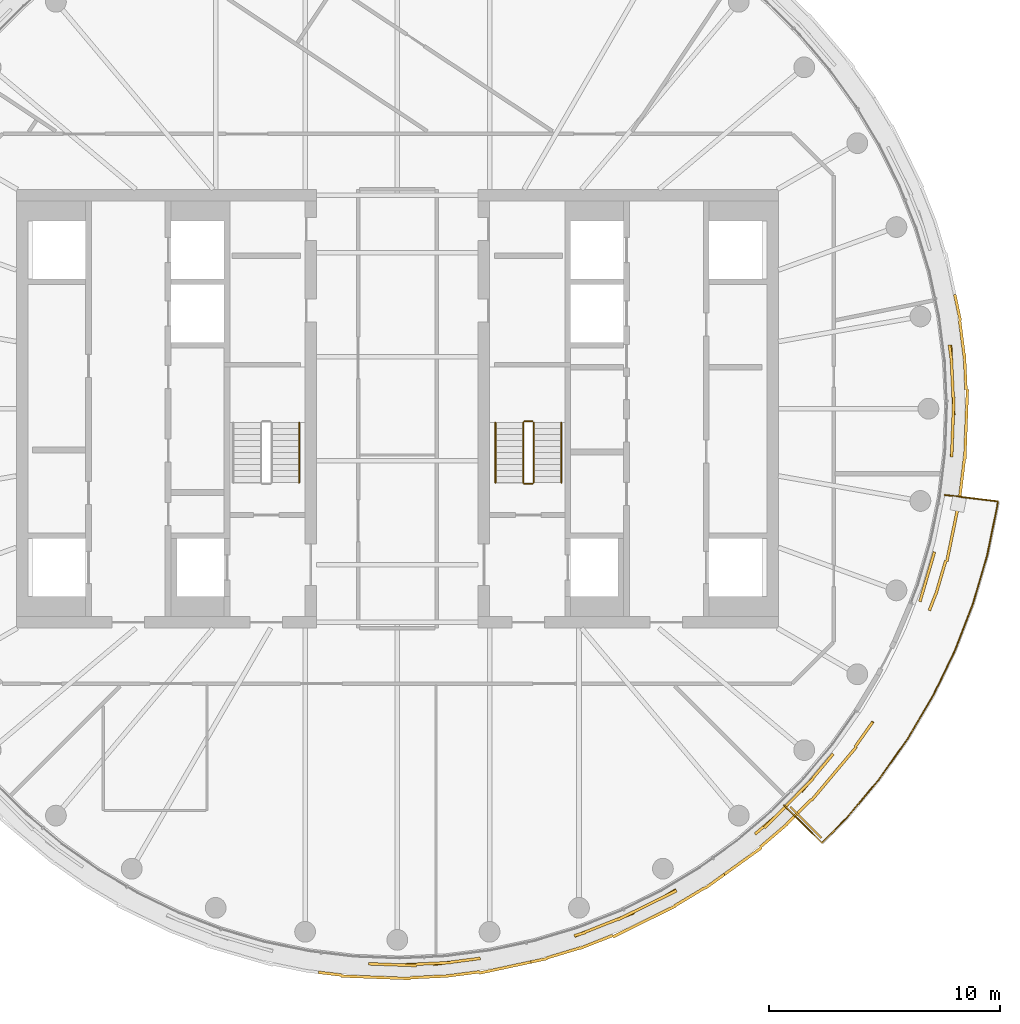
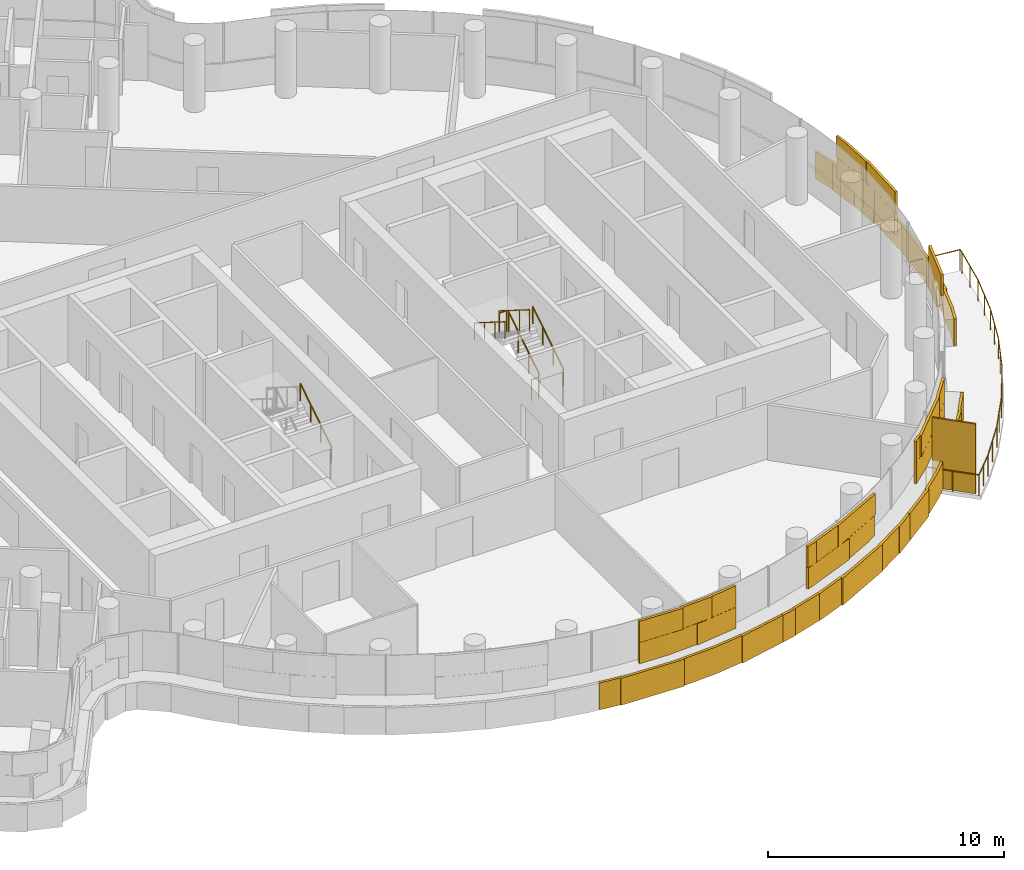
# One storey, part 24 of 27: 8 railings, 5 coverings, 1 shading device.
"""IFC4 building model written with IfcOpenShell, lengths in metres."""

from ifc_helpers import new_model, si_unit, direction, frame, origin, origin_2d, place, context, subcontext, project, spatial, rectangle, circle, extrude, material, layer, layer_set, type_object, element, save


model = new_model("IFC4")

# Units and contexts
model_context = context("Model", 3, precision=1e-05, world=origin(), true_north=direction((0.0, 1.0)))
body_context = subcontext(model_context, "Body", "Model", "MODEL_VIEW")
ifc_project = project(units=[si_unit("LENGTHUNIT", "METRE"), si_unit("AREAUNIT", "SQUARE_METRE"), si_unit("VOLUMEUNIT", "CUBIC_METRE"), si_unit("PLANEANGLEUNIT", "RADIAN"), si_unit("MASSUNIT", "GRAM", prefix="KILO")], contexts=[model_context])

# Site, building, storey
site_placement = place(None, origin())
site = spatial("IfcSite", under=ifc_project, at=site_placement, CompositionType="ELEMENT")
building_placement = place(site_placement, origin())
building = spatial("IfcBuilding", under=site, at=building_placement, Name="Tamarind Cross Interchange Tower", CompositionType="ELEMENT")
storey_placement = place(building_placement, frame((0.0, 0.0, 237.89990234375)))
storey = spatial("IfcBuildingStorey", under=building, at=storey_placement, Name="L60", CompositionType="ELEMENT", Elevation=237.89990234375)

# Railing
ifc_material_1 = material(Name="Stainless steel and laminated glass", Category="steel")
railing_type_1 = type_object("IfcRailingType", Name="Balcony guard", PredefinedType="BALUSTRADE", material=ifc_material_1)
railing_1_placement = place(storey_placement, frame((16.7412109375, -17.167236328125, 0.0)))
element("IfcRailing", 1, at=railing_1_placement, inside=storey, type_object=railing_type_1, Name="Balcony guard 02", PredefinedType="BALUSTRADE", context=body_context, shape_type="SweptSolid", body=[
    extrude(circle(Radius=0.02490234375, at=origin_2d()), frame((0.0, 0.0, 1.0751953125), z_axis=(0.710099507611, -0.704101334533, 0.0), x_axis=(0.704101334533, 0.710099507611, 0.0)), (0.0, 0.0, 1.0), 2.320068359375),
    extrude(circle(Radius=0.02490234375, at=origin_2d()), frame((1.6474609375, -1.633544921875, 1.0751953125), z_axis=(0.70407326144, 0.710127342471, 0.0), x_axis=(-0.710127342471, 0.70407326144, 0.0)), (0.0, 0.0, 1.0), 1.4921875),
    extrude(circle(Radius=0.02490234375, at=origin_2d()), frame((2.697998046875, -0.573974609375, 1.0751953125), z_axis=(0.642984125922, 0.765879503455, 0.0), x_axis=(-0.765879503455, 0.642984125922, 0.0)), (0.0, 0.0, 1.0), 2.17529296875),
    extrude(circle(Radius=0.02490234375, at=origin_2d()), frame((4.0966796875, 1.092041015625, 1.0751953125), z_axis=(0.577590617379, 0.81632657602, 0.0), x_axis=(-0.81632657602, 0.577590617379, 0.0)), (0.0, 0.0, 1.0), 2.175048828125),
    extrude(circle(Radius=0.02490234375, at=origin_2d()), frame((5.35302734375, 2.86767578125, 1.0751953125), z_axis=(0.508226290333, 0.861223570169, 0.0), x_axis=(-0.861223570169, 0.508226290333, 0.0)), (0.0, 0.0, 1.0), 2.175048828125),
    extrude(circle(Radius=0.02490234375, at=origin_2d()), frame((6.45849609375, 4.740966796875, 1.0751953125), z_axis=(0.435276325285, 0.90029690694, 0.0), x_axis=(-0.90029690694, 0.435276325285, 0.0)), (0.0, 0.0, 1.0), 2.175048828125),
    extrude(circle(Radius=0.02490234375, at=origin_2d()), frame((7.4052734375, 6.69921875, 1.0751953125), z_axis=(0.359497979449, 0.93314586361, 0.0), x_axis=(-0.93314586361, 0.359497979449, 0.0)), (0.0, 0.0, 1.0), 2.17529296875),
    extrude(circle(Radius=0.02490234375, at=origin_2d()), frame((8.187255859375, 8.72900390625, 1.0751953125), z_axis=(0.281266871208, 0.959629588519, 0.0), x_axis=(-0.959629588519, 0.281266871208, 0.0)), (0.0, 0.0, 1.0), 2.17529296875),
    extrude(circle(Radius=0.02490234375, at=origin_2d()), frame((8.799072265625, 10.81640625, 1.0751953125), z_axis=(0.200905479979, 0.97961063087, 0.0), x_axis=(-0.97961063087, 0.200905479979, 0.0)), (0.0, 0.0, 1.0), 2.17529296875),
    extrude(circle(Radius=0.02490234375, at=origin_2d()), frame((9.236083984375, 12.947265625, 1.0751953125), z_axis=(0.119603092441, 0.992821786767, 0.0), x_axis=(-0.992821786767, 0.119603092441, 0.0)), (0.0, 0.0, 1.0), 0.210205078125),
    extrude(circle(Radius=0.02490234375, at=origin_2d()), frame((9.26123046875, 13.156005859375, 1.0751953125), z_axis=(-0.992840439423, 0.119448155474, 0.0), x_axis=(-0.119448155474, -0.992840439423, 0.0)), (0.0, 0.0, 1.0), 2.31982421875),
    extrude(circle(Radius=0.02001953125, at=origin_2d()), origin(), (0.0, 0.0, 1.0), 1.050048828125),
    extrude(circle(Radius=0.02001953125, at=origin_2d()), frame((0.82373046875, -0.81689453125, 0.0)), (0.0, 0.0, 1.0), 1.050048828125),
    extrude(circle(Radius=0.02001953125, at=origin_2d()), frame((1.6474609375, -1.633544921875, 0.0)), (0.0, 0.0, 1.0), 1.050048828125),
    extrude(circle(Radius=0.02001953125, at=origin_2d()), frame((2.1728515625, -1.103759765625, 0.0)), (0.0, 0.0, 1.0), 1.050048828125),
    extrude(circle(Radius=0.02001953125, at=origin_2d()), frame((2.697998046875, -0.573974609375, 0.0)), (0.0, 0.0, 1.0), 1.050048828125),
    extrude(circle(Radius=0.02001953125, at=origin_2d()), frame((3.3974609375, 0.259033203125, 0.0)), (0.0, 0.0, 1.0), 1.050048828125),
    extrude(circle(Radius=0.02001953125, at=origin_2d()), frame((4.0966796875, 1.092041015625, 0.0)), (0.0, 0.0, 1.0), 1.050048828125),
    extrude(circle(Radius=0.02001953125, at=origin_2d()), frame((4.724853515625, 1.97998046875, 0.0)), (0.0, 0.0, 1.0), 1.050048828125),
    extrude(circle(Radius=0.02001953125, at=origin_2d()), frame((5.35302734375, 2.86767578125, 0.0)), (0.0, 0.0, 1.0), 1.050048828125),
    extrude(circle(Radius=0.02001953125, at=origin_2d()), frame((5.90576171875, 3.80419921875, 0.0)), (0.0, 0.0, 1.0), 1.050048828125),
    extrude(circle(Radius=0.02001953125, at=origin_2d()), frame((6.45849609375, 4.740966796875, 0.0)), (0.0, 0.0, 1.0), 1.050048828125),
    extrude(circle(Radius=0.02001953125, at=origin_2d()), frame((6.931884765625, 5.72021484375, 0.0)), (0.0, 0.0, 1.0), 1.050048828125),
    extrude(circle(Radius=0.02001953125, at=origin_2d()), frame((7.4052734375, 6.69921875, 0.0)), (0.0, 0.0, 1.0), 1.050048828125),
    extrude(circle(Radius=0.02001953125, at=origin_2d()), frame((7.79638671875, 7.714111328125, 0.0)), (0.0, 0.0, 1.0), 1.050048828125),
    extrude(circle(Radius=0.02001953125, at=origin_2d()), frame((8.187255859375, 8.72900390625, 0.0)), (0.0, 0.0, 1.0), 1.050048828125),
    extrude(circle(Radius=0.02001953125, at=origin_2d()), frame((8.4931640625, 9.772705078125, 0.0)), (0.0, 0.0, 1.0), 1.050048828125),
    extrude(circle(Radius=0.02001953125, at=origin_2d()), frame((8.799072265625, 10.81640625, 0.0)), (0.0, 0.0, 1.0), 1.050048828125),
    extrude(circle(Radius=0.02001953125, at=origin_2d()), frame((9.017578125, 11.8818359375, 0.0)), (0.0, 0.0, 1.0), 1.050048828125),
    extrude(circle(Radius=0.02001953125, at=origin_2d()), frame((9.236083984375, 12.947265625, 0.0)), (0.0, 0.0, 1.0), 1.050048828125),
    extrude(circle(Radius=0.02001953125, at=origin_2d()), frame((9.26123046875, 13.156005859375, 0.0)), (0.0, 0.0, 1.0), 1.050048828125),
    extrude(circle(Radius=0.02001953125, at=origin_2d()), frame((8.109619140625, 13.29443359375, 0.0)), (0.0, 0.0, 1.0), 1.050048828125),
    extrude(circle(Radius=0.02001953125, at=origin_2d()), frame((6.9580078125, 13.43310546875, 0.0)), (0.0, 0.0, 1.0), 1.050048828125),
])

# Shading device
ifc_material_2 = material(Name="Bronze-finish aluminium louvre", Category="aluminium")
ifc_layer_1 = layer(ifc_material_2, 0.080078125)
ifc_layer_set_1 = layer_set([ifc_layer_1], Name="Bronze-finish aluminium louvre")
shading_device_type = type_object("IfcShadingDeviceType", Name="Operable louvre bay", PredefinedType="JALOUSIE", material=ifc_layer_set_1)
shading_device_placement = place(storey_placement, origin())
element("IfcShadingDevice", 2, at=shading_device_placement, inside=storey, type_object=shading_device_type, Name="LVR-L60-BAL02", PredefinedType="JALOUSIE", context=body_context, shape_type="SweptSolid", body=[
    extrude(rectangle(XDim=1.89990234375, YDim=0.080078125, at=origin_2d()), frame((17.69189453125, -17.912841796875, 0.0), z_axis=(0.0, 0.0, 1.0), x_axis=(0.710143317658, -0.704057148523, 0.0)), (0.0, 0.0, 1.0), 3.60009765625),
])

# Railings
ifc_material_3 = material(Name="Stair guard")
railing_type_2 = type_object("IfcRailingType", Name="Stair guard", PredefinedType="GUARDRAIL", material=ifc_material_3)
railing_2_placement = place(storey_placement, frame((5.89990234375, -3.199951171875, 0.163818359375)))
element("IfcRailing", 3, at=railing_2_placement, inside=storey, type_object=railing_type_2, Name="L60 ST2 stair guard 1", PredefinedType="GUARDRAIL", context=body_context, shape_type="SweptSolid", body=[
    extrude(circle(Radius=0.02392578125, at=origin_2d()), frame((0.0, 0.0, 1.076171875), z_axis=(0.0, 0.846337672412, 0.532646734952), x_axis=(-1.0, 0.0, 0.0)), (0.0, 0.0, 1.0), 3.07177734375),
    extrude(circle(Radius=0.02099609375, at=origin_2d()), origin(), (0.0, 0.0, 1.0), 1.052001953125),
    extrude(circle(Radius=0.02099609375, at=origin_2d()), frame((0.0, 0.86669921875, 0.54541015625)), (0.0, 0.0, 1.0), 1.052001953125),
    extrude(circle(Radius=0.02099609375, at=origin_2d()), frame((0.0, 1.733154296875, 1.0908203125)), (0.0, 0.0, 1.0), 1.052001953125),
    extrude(circle(Radius=0.02099609375, at=origin_2d()), frame((0.0, 2.599853515625, 1.63623046875)), (0.0, 0.0, 1.0), 1.052001953125),
])
railing_3_placement = place(storey_placement, frame((5.85009765625, -0.550048828125, 1.800048828125)))
element("IfcRailing", 4, at=railing_3_placement, inside=storey, type_object=railing_type_2, Name="L60 ST2 stair guard 2", PredefinedType="GUARDRAIL", context=body_context, shape_type="SweptSolid", body=[
    extrude(circle(Radius=0.02392578125, at=origin_2d()), frame((0.0, 0.0, 1.076171875), z_axis=(-1.0, 0.0, 0.0), x_axis=(0.0, -1.0, 0.0)), (0.0, 0.0, 1.0), 0.35009765625),
    extrude(circle(Radius=0.02099609375, at=origin_2d()), origin(), (0.0, 0.0, 1.0), 1.052001953125),
    extrude(circle(Radius=0.02099609375, at=origin_2d()), frame((-0.35009765625, 0.0, 0.0)), (0.0, 0.0, 1.0), 1.052001953125),
])
railing_4_placement = place(storey_placement, frame((5.449951171875, -0.60009765625, 1.963623046875)))
element("IfcRailing", 5, at=railing_4_placement, inside=storey, type_object=railing_type_2, Name="L60 ST2 stair guard 3", PredefinedType="GUARDRAIL", context=body_context, shape_type="SweptSolid", body=[
    extrude(circle(Radius=0.02392578125, at=origin_2d()), frame((0.0, 0.0, 1.076171875), z_axis=(0.0, -0.846301844409, 0.532703658848), x_axis=(1.0, 0.0, 0.0)), (0.0, 0.0, 1.0), 3.072021484375),
    extrude(circle(Radius=0.02099609375, at=origin_2d()), origin(), (0.0, 0.0, 1.0), 1.052001953125),
    extrude(circle(Radius=0.02099609375, at=origin_2d()), frame((0.0, -0.86669921875, 0.54541015625)), (0.0, 0.0, 1.0), 1.052001953125),
    extrude(circle(Radius=0.02099609375, at=origin_2d()), frame((0.0, -1.733154296875, 1.091064453125)), (0.0, 0.0, 1.0), 1.052001953125),
    extrude(circle(Radius=0.02099609375, at=origin_2d()), frame((0.0, -2.599853515625, 1.636474609375)), (0.0, 0.0, 1.0), 1.052001953125),
])
railing_5_placement = place(storey_placement, frame((5.85009765625, -3.25, 0.0)))
element("IfcRailing", 6, at=railing_5_placement, inside=storey, type_object=railing_type_2, Name="L60 ST2 stair guard 4", PredefinedType="GUARDRAIL", context=body_context, shape_type="SweptSolid", body=[
    extrude(circle(Radius=0.02392578125, at=origin_2d()), frame((0.0, 0.0, 1.076171875), z_axis=(-1.0, 0.0, 0.0), x_axis=(0.0, -1.0, 0.0)), (0.0, 0.0, 1.0), 0.35009765625),
    extrude(circle(Radius=0.02099609375, at=origin_2d()), origin(), (0.0, 0.0, 1.0), 1.052001953125),
    extrude(circle(Radius=0.02099609375, at=origin_2d()), frame((-0.35009765625, 0.0, 0.0)), (0.0, 0.0, 1.0), 1.052001953125),
])
ifc_material_4 = material(Name="Stair handrail")
railing_type_3 = type_object("IfcRailingType", Name="Stair handrail", PredefinedType="HANDRAIL", material=ifc_material_4)
for number, where, name in (
    (7, (-4.25, -3.199951171875, 0.163818359375), "L60 ST1 stair handrail 1"),
    (8, (7.10009765625, -3.199951171875, 0.163818359375), "L60 ST2 stair handrail 1"),
):
    element("IfcRailing", number, at=place(storey_placement, frame(where)), inside=storey, type_object=railing_type_3, Name=name, PredefinedType="HANDRAIL", context=body_context, shape_type="SweptSolid", body=[
        extrude(circle(Radius=0.02392578125, at=origin_2d()), frame((0.0, 0.0, 0.8759765625), z_axis=(0.0, 0.846337672412, 0.532646734952), x_axis=(-1.0, 0.0, 0.0)), (0.0, 0.0, 1.0), 3.07177734375),
        extrude(circle(Radius=0.02099609375, at=origin_2d()), origin(), (0.0, 0.0, 1.0), 0.851806640625),
        extrude(circle(Radius=0.02099609375, at=origin_2d()), frame((0.0, 0.86669921875, 0.54541015625)), (0.0, 0.0, 1.0), 0.851806640625),
        extrude(circle(Radius=0.02099609375, at=origin_2d()), frame((0.0, 1.733154296875, 1.0908203125)), (0.0, 0.0, 1.0), 0.851806640625),
        extrude(circle(Radius=0.02099609375, at=origin_2d()), frame((0.0, 2.599853515625, 1.63623046875)), (0.0, 0.0, 1.0), 0.851806640625),
    ])
railing_6_placement = place(storey_placement, frame((4.25, -0.60009765625, 1.963623046875)))
element("IfcRailing", 9, at=railing_6_placement, inside=storey, type_object=railing_type_3, Name="L60 ST2 stair handrail 2", PredefinedType="HANDRAIL", context=body_context, shape_type="SweptSolid", body=[
    extrude(circle(Radius=0.02392578125, at=origin_2d()), frame((0.0, 0.0, 0.8759765625), z_axis=(0.0, -0.846301844409, 0.532703658848), x_axis=(1.0, 0.0, 0.0)), (0.0, 0.0, 1.0), 3.072021484375),
    extrude(circle(Radius=0.02099609375, at=origin_2d()), origin(), (0.0, 0.0, 1.0), 0.851806640625),
    extrude(circle(Radius=0.02099609375, at=origin_2d()), frame((0.0, -0.86669921875, 0.54541015625)), (0.0, 0.0, 1.0), 0.851806640625),
    extrude(circle(Radius=0.02099609375, at=origin_2d()), frame((0.0, -1.733154296875, 1.091064453125)), (0.0, 0.0, 1.0), 0.851806640625),
    extrude(circle(Radius=0.02099609375, at=origin_2d()), frame((0.0, -2.599853515625, 1.636474609375)), (0.0, 0.0, 1.0), 0.851806640625),
])

# Coverings
ifc_material_5 = material(Name="Terracotta", Category="masonry")
ifc_layer_2 = layer(ifc_material_5, 0.1201171875)
ifc_layer_set_2 = layer_set([ifc_layer_2], Name="Terracotta")
covering_type = type_object("IfcCoveringType", Name="Terracotta baguette screen unit", PredefinedType="MOLDING", material=ifc_layer_set_2)
covering_1_placement = place(storey_placement, origin())
element("IfcCovering", 10, at=covering_1_placement, inside=storey, type_object=covering_type, Name="SCR-L60-02-02", PredefinedType="MOLDING", context=body_context, shape_type="SweptSolid", body=[
    extrude(rectangle(XDim=1.32177734375, YDim=0.1201171875, at=origin_2d()), frame((-0.585693359375, -24.060302734375, 1.404296875), z_axis=(0.0, 0.0, 1.0), x_axis=(0.999314350871, -0.037024696392, 0.0)), (0.0, 0.0, 1.0), 1.092041015625),
    extrude(rectangle(XDim=1.52001953125, YDim=0.1201171875, at=origin_2d()), frame((0.81884765625, -24.05322265625, 1.404296875), z_axis=(0.0, 0.0, 1.0), x_axis=(0.998958660912, 0.045624486728, 0.0)), (0.0, 0.0, 1.0), 1.092041015625),
    extrude(rectangle(XDim=1.52001953125, YDim=0.1201171875, at=origin_2d()), frame((2.315673828125, -23.966064453125, 1.404296875), z_axis=(0.0, 0.0, 1.0), x_axis=(0.991779070368, 0.127962008342, 0.0)), (0.0, 0.0, 1.0), 1.092041015625),
    extrude(rectangle(XDim=0.54150390625, YDim=0.1201171875, at=origin_2d()), frame((3.3232421875, -23.836181640625, 1.404296875), z_axis=(0.0, 0.0, 1.0), x_axis=(0.991779070368, 0.127962008342, 0.0)), (0.0, 0.0, 1.0), 1.092041015625),
    extrude(rectangle(XDim=0.57177734375, YDim=0.1201171875, at=origin_2d()), frame((-0.96044921875, -24.04638671875, 2.50390625), z_axis=(0.0, 0.0, 1.0), x_axis=(0.999314350871, -0.037024696392, 0.0)), (0.0, 0.0, 1.0), 1.092041015625),
    extrude(rectangle(XDim=1.52001953125, YDim=0.1201171875, at=origin_2d()), frame((0.069580078125, -24.08447265625, 2.50390625), z_axis=(0.0, 0.0, 1.0), x_axis=(0.999314350871, -0.037024696392, 0.0)), (0.0, 0.0, 1.0), 1.092041015625),
    extrude(rectangle(XDim=1.52001953125, YDim=0.1201171875, at=origin_2d()), frame((1.568115234375, -24.018798828125, 2.50390625), z_axis=(0.0, 0.0, 1.0), x_axis=(0.998958660912, 0.045624486728, 0.0)), (0.0, 0.0, 1.0), 1.092041015625),
    extrude(rectangle(XDim=1.29150390625, YDim=0.1201171875, at=origin_2d()), frame((2.951171875, -23.884033203125, 2.50390625), z_axis=(0.0, 0.0, 1.0), x_axis=(0.991779070368, 0.127962008342, 0.0)), (0.0, 0.0, 1.0), 1.092041015625),
    extrude(rectangle(XDim=0.992431640625, YDim=0.1201171875, at=origin_2d()), frame((-2.917236328125, -24.466064453125, 0.004150390625), z_axis=(0.0, 0.0, 1.0), x_axis=(0.992843710523, -0.119420963295, 0.0)), (0.0, 0.0, 1.0), 1.39208984375),
    extrude(rectangle(XDim=1.52001953125, YDim=0.1201171875, at=origin_2d()), frame((-1.688232421875, -24.59375, 0.004150390625), z_axis=(0.0, 0.0, 1.0), x_axis=(0.999314350871, -0.037024696392, 0.0)), (0.0, 0.0, 1.0), 1.39208984375),
    extrude(rectangle(XDim=1.52001953125, YDim=0.1201171875, at=origin_2d()), frame((-0.189453125, -24.6494140625, 0.004150390625), z_axis=(0.0, 0.0, 1.0), x_axis=(0.999314350871, -0.037024696392, 0.0)), (0.0, 0.0, 1.0), 1.39208984375),
    extrude(rectangle(XDim=1.52001953125, YDim=0.1201171875, at=origin_2d()), frame((1.30908203125, -24.605224609375, 0.004150390625), z_axis=(0.0, 0.0, 1.0), x_axis=(0.998958660912, 0.045624486728, 0.0)), (0.0, 0.0, 1.0), 1.39208984375),
    extrude(rectangle(XDim=1.52001953125, YDim=0.1201171875, at=origin_2d()), frame((2.802734375, -24.482177734375, 0.004150390625), z_axis=(0.0, 0.0, 1.0), x_axis=(0.991779070368, 0.127962008342, 0.0)), (0.0, 0.0, 1.0), 1.39208984375),
    extrude(rectangle(XDim=1.52001953125, YDim=0.1201171875, at=origin_2d()), frame((4.288818359375, -24.27978515625, 0.004150390625), z_axis=(0.0, 0.0, 1.0), x_axis=(0.977824623121, 0.209425419705, 0.0)), (0.0, 0.0, 1.0), 1.39208984375),
    extrude(rectangle(XDim=0.786865234375, YDim=0.1201171875, at=origin_2d()), frame((5.39697265625, -24.042236328125, 0.004150390625), z_axis=(0.0, 0.0, 1.0), x_axis=(0.977824623121, 0.209425419705, 0.0)), (0.0, 0.0, 1.0), 1.39208984375),
])
covering_2_placement = place(storey_placement, origin())
element("IfcCovering", 11, at=covering_2_placement, inside=storey, type_object=covering_type, Name="SCR-L60-02-03", PredefinedType="MOLDING", context=body_context, shape_type="SweptSolid", body=[
    extrude(rectangle(XDim=1.2783203125, YDim=0.1201171875, at=origin_2d()), frame((8.26171875, -22.611572265625, 1.404296875), z_axis=(0.0, 0.0, 1.0), x_axis=(0.930018078613, 0.367513773146, 0.0)), (0.0, 0.0, 1.0), 1.092041015625),
    extrude(rectangle(XDim=1.52001953125, YDim=0.1201171875, at=origin_2d()), frame((9.549072265625, -22.102783203125, 1.404296875), z_axis=(0.0, 0.0, 1.0), x_axis=(0.930018078613, 0.367513773146, 0.0)), (0.0, 0.0, 1.0), 1.092041015625),
    extrude(rectangle(XDim=1.52001953125, YDim=0.1201171875, at=origin_2d()), frame((10.90185546875, -21.4560546875, 1.404296875), z_axis=(0.0, 0.0, 1.0), x_axis=(0.896492548518, 0.443058811505, 0.0)), (0.0, 0.0, 1.0), 1.092041015625),
    extrude(rectangle(XDim=0.584228515625, YDim=0.1201171875, at=origin_2d()), frame((11.8193359375, -20.974365234375, 1.404296875), z_axis=(0.0, 0.0, 1.0), x_axis=(0.856843065292, 0.515577308909, 0.0)), (0.0, 0.0, 1.0), 1.092041015625),
    extrude(rectangle(XDim=0.5283203125, YDim=0.1201171875, at=origin_2d()), frame((7.912841796875, -22.748779296875, 2.50390625), z_axis=(0.0, 0.0, 1.0), x_axis=(0.957190642199, 0.289458243079, 0.0)), (0.0, 0.0, 1.0), 1.092041015625),
    extrude(rectangle(XDim=1.52001953125, YDim=0.1201171875, at=origin_2d()), frame((8.8515625, -22.37841796875, 2.50390625), z_axis=(0.0, 0.0, 1.0), x_axis=(0.930018078613, 0.367513773146, 0.0)), (0.0, 0.0, 1.0), 1.092041015625),
    extrude(rectangle(XDim=1.52001953125, YDim=0.1201171875, at=origin_2d()), frame((10.2294921875, -21.788330078125, 2.50390625), z_axis=(0.0, 0.0, 1.0), x_axis=(0.896492548518, 0.443058811505, 0.0)), (0.0, 0.0, 1.0), 1.092041015625),
    extrude(rectangle(XDim=1.334228515625, YDim=0.1201171875, at=origin_2d()), frame((11.495361328125, -21.162841796875, 2.50390625), z_axis=(0.0, 0.0, 1.0), x_axis=(0.896492548518, 0.443058811505, 0.0)), (0.0, 0.0, 1.0), 1.092041015625),
    extrude(rectangle(XDim=0.733154296875, YDim=0.1201171875, at=origin_2d()), frame((6.14013671875, -23.883056640625, 0.004150390625), z_axis=(0.0, 0.0, 1.0), x_axis=(0.977824623121, 0.209425419705, 0.0)), (0.0, 0.0, 1.0), 1.39208984375),
    extrude(rectangle(XDim=1.52001953125, YDim=0.1201171875, at=origin_2d()), frame((7.19970703125, -23.564208984375, 0.004150390625), z_axis=(0.0, 0.0, 1.0), x_axis=(0.957190642199, 0.289458243079, 0.0)), (0.0, 0.0, 1.0), 1.39208984375),
    extrude(rectangle(XDim=1.52001953125, YDim=0.1201171875, at=origin_2d()), frame((8.62060546875, -23.0869140625, 0.004150390625), z_axis=(0.0, 0.0, 1.0), x_axis=(0.930018078613, 0.367513773146, 0.0)), (0.0, 0.0, 1.0), 1.39208984375),
    extrude(rectangle(XDim=1.52001953125, YDim=0.1201171875, at=origin_2d()), frame((10.01513671875, -22.53466796875, 0.004150390625), z_axis=(0.0, 0.0, 1.0), x_axis=(0.896492548518, 0.443058811505, 0.0)), (0.0, 0.0, 1.0), 1.39208984375),
    extrude(rectangle(XDim=1.52001953125, YDim=0.1201171875, at=origin_2d()), frame((11.35986328125, -21.8701171875, 0.004150390625), z_axis=(0.0, 0.0, 1.0), x_axis=(0.896492548518, 0.443058811505, 0.0)), (0.0, 0.0, 1.0), 1.39208984375),
    extrude(rectangle(XDim=1.52001953125, YDim=0.1201171875, at=origin_2d()), frame((12.665771484375, -21.134765625, 0.004150390625), z_axis=(0.0, 0.0, 1.0), x_axis=(0.856843065292, 0.515577308909, 0.0)), (0.0, 0.0, 1.0), 1.39208984375),
    extrude(rectangle(XDim=1.045166015625, YDim=0.1201171875, at=origin_2d()), frame((13.738525390625, -20.469970703125, 0.004150390625), z_axis=(0.0, 0.0, 1.0), x_axis=(0.811340475102, 0.584573890505, 0.0)), (0.0, 0.0, 1.0), 1.39208984375),
])
covering_3_placement = place(storey_placement, origin())
element("IfcCovering", 12, at=covering_3_placement, inside=storey, type_object=covering_type, Name="SCR-L60-02-04", PredefinedType="MOLDING", context=body_context, shape_type="SweptSolid", body=[
    extrude(rectangle(XDim=1.23583984375, YDim=0.1201171875, at=origin_2d()), frame((15.9609375, -18.01611328125, 1.404296875), z_axis=(0.0, 0.0, 1.0), x_axis=(0.760295606781, 0.64957723968, 0.0)), (0.0, 0.0, 1.0), 1.092041015625),
    extrude(rectangle(XDim=1.52001953125, YDim=0.1201171875, at=origin_2d()), frame((16.9521484375, -17.08251953125, 1.404296875), z_axis=(0.0, 0.0, 1.0), x_axis=(0.704057148523, 0.710143317658, 0.0)), (0.0, 0.0, 1.0), 1.092041015625),
    extrude(rectangle(XDim=1.52001953125, YDim=0.1201171875, at=origin_2d()), frame((17.9892578125, -16.0, 1.404296875), z_axis=(0.0, 0.0, 1.0), x_axis=(0.643009266048, 0.765858396687, 0.0)), (0.0, 0.0, 1.0), 1.092041015625),
    extrude(rectangle(XDim=0.62744140625, YDim=0.1201171875, at=origin_2d()), frame((18.670166015625, -15.189208984375, 1.404296875), z_axis=(0.0, 0.0, 1.0), x_axis=(0.643009266048, 0.765858396687, 0.0)), (0.0, 0.0, 1.0), 1.092041015625),
    extrude(rectangle(XDim=0.48583984375, YDim=0.1201171875, at=origin_2d()), frame((15.67578125, -18.259765625, 2.50390625), z_axis=(0.0, 0.0, 1.0), x_axis=(0.760295606781, 0.64957723968, 0.0)), (0.0, 0.0, 1.0), 1.092041015625),
    extrude(rectangle(XDim=1.52001953125, YDim=0.1201171875, at=origin_2d()), frame((16.424072265625, -17.614990234375, 2.50390625), z_axis=(0.0, 0.0, 1.0), x_axis=(0.704057148523, 0.710143317658, 0.0)), (0.0, 0.0, 1.0), 1.092041015625),
    extrude(rectangle(XDim=1.52001953125, YDim=0.1201171875, at=origin_2d()), frame((17.480224609375, -16.5498046875, 2.50390625), z_axis=(0.0, 0.0, 1.0), x_axis=(0.704057148523, 0.710143317658, 0.0)), (0.0, 0.0, 1.0), 1.092041015625),
    extrude(rectangle(XDim=1.37744140625, YDim=0.1201171875, at=origin_2d()), frame((18.428955078125, -15.476318359375, 2.50390625), z_axis=(0.0, 0.0, 1.0), x_axis=(0.643009266048, 0.765858396687, 0.0)), (0.0, 0.0, 1.0), 1.092041015625),
    extrude(rectangle(XDim=0.474853515625, YDim=0.1201171875, at=origin_2d()), frame((14.355224609375, -20.02587890625, 0.004150390625), z_axis=(0.0, 0.0, 1.0), x_axis=(0.811340475102, 0.584573890505, 0.0)), (0.0, 0.0, 1.0), 1.39208984375),
    extrude(rectangle(XDim=1.52001953125, YDim=0.1201171875, at=origin_2d()), frame((15.148193359375, -19.454345703125, 0.004150390625), z_axis=(0.0, 0.0, 1.0), x_axis=(0.811340475102, 0.584573890505, 0.0)), (0.0, 0.0, 1.0), 1.39208984375),
    extrude(rectangle(XDim=1.52001953125, YDim=0.1201171875, at=origin_2d()), frame((16.2939453125, -18.486572265625, 0.004150390625), z_axis=(0.0, 0.0, 1.0), x_axis=(0.760295606781, 0.64957723968, 0.0)), (0.0, 0.0, 1.0), 1.39208984375),
    extrude(rectangle(XDim=1.52001953125, YDim=0.1201171875, at=origin_2d()), frame((17.385986328125, -17.460205078125, 0.004150390625), z_axis=(0.0, 0.0, 1.0), x_axis=(0.704057148523, 0.710143317658, 0.0)), (0.0, 0.0, 1.0), 1.39208984375),
    extrude(rectangle(XDim=1.52001953125, YDim=0.1201171875, at=origin_2d()), frame((18.42236328125, -16.376953125, 0.004150390625), z_axis=(0.0, 0.0, 1.0), x_axis=(0.643009266048, 0.765858396687, 0.0)), (0.0, 0.0, 1.0), 1.39208984375),
    extrude(rectangle(XDim=1.52001953125, YDim=0.1201171875, at=origin_2d()), frame((19.386962890625, -15.228271484375, 0.004150390625), z_axis=(0.0, 0.0, 1.0), x_axis=(0.643009266048, 0.765858396687, 0.0)), (0.0, 0.0, 1.0), 1.39208984375),
    extrude(rectangle(XDim=1.30419921875, YDim=0.1201171875, at=origin_2d()), frame((20.205078125, -14.102783203125, 0.004150390625), z_axis=(0.0, 0.0, 1.0), x_axis=(0.577568978284, 0.816341886298, 0.0)), (0.0, 0.0, 1.0), 1.39208984375),
])
covering_4_placement = place(storey_placement, origin())
element("IfcCovering", 13, at=covering_4_placement, inside=storey, type_object=covering_type, Name="SCR-L60-02-05", PredefinedType="MOLDING", context=body_context, shape_type="SweptSolid", body=[
    extrude(rectangle(XDim=1.48486328125, YDim=0.1201171875, at=origin_2d()), frame((23.051513671875, -6.913818359375, 1.404296875), z_axis=(0.0, 0.0, 1.0), x_axis=(0.281208920763, 0.95964657186, 0.0)), (0.0, 0.0, 1.0), 1.092041015625),
    extrude(rectangle(XDim=1.52001953125, YDim=0.1201171875, at=origin_2d()), frame((22.843994140625, -7.62158203125, 2.50390625), z_axis=(0.0, 0.0, 1.0), x_axis=(0.281208920763, 0.95964657186, 0.0)), (0.0, 0.0, 1.0), 1.092041015625),
    extrude(rectangle(XDim=0.73486328125, YDim=0.1201171875, at=origin_2d()), frame((23.156982421875, -6.553955078125, 2.50390625), z_axis=(0.0, 0.0, 1.0), x_axis=(0.281208920763, 0.95964657186, 0.0)), (0.0, 0.0, 1.0), 1.092041015625),
    extrude(rectangle(XDim=0.03076171875, YDim=0.1201171875, at=origin_2d()), frame((20.590576171875, -13.557861328125, 0.004150390625), z_axis=(0.0, 0.0, 1.0), x_axis=(0.577568978284, 0.816341886298, 0.0)), (0.0, 0.0, 1.0), 1.39208984375),
    extrude(rectangle(XDim=0.78369140625, YDim=0.1201171875, at=origin_2d()), frame((23.1787109375, -8.373779296875, 0.004150390625), z_axis=(0.0, 0.0, 1.0), x_axis=(0.359495435512, 0.933146843667, 0.0)), (0.0, 0.0, 1.0), 1.39208984375),
    extrude(rectangle(XDim=1.52001953125, YDim=0.1201171875, at=origin_2d()), frame((23.5361328125, -7.30078125, 0.004150390625), z_axis=(0.0, 0.0, 1.0), x_axis=(0.281208920763, 0.95964657186, 0.0)), (0.0, 0.0, 1.0), 1.39208984375),
    extrude(rectangle(XDim=1.52001953125, YDim=0.1201171875, at=origin_2d()), frame((23.950439453125, -5.859619140625, 0.004150390625), z_axis=(0.0, 0.0, 1.0), x_axis=(0.201001463943, 0.9795909409, 0.0)), (0.0, 0.0, 1.0), 1.39208984375),
    extrude(rectangle(XDim=0.896484375, YDim=0.1201171875, at=origin_2d()), frame((24.189453125, -4.695556640625, 0.004150390625), z_axis=(0.0, 0.0, 1.0), x_axis=(0.201001463943, 0.9795909409, 0.0)), (0.0, 0.0, 1.0), 1.39208984375),
])
covering_5_placement = place(storey_placement, origin())
element("IfcCovering", 14, at=covering_5_placement, inside=storey, type_object=covering_type, Name="SCR-L60-02-06", PredefinedType="MOLDING", context=body_context, shape_type="SweptSolid", body=[
    extrude(rectangle(XDim=0.335205078125, YDim=0.1201171875, at=origin_2d()), frame((24.008544921875, -1.914794921875, 1.404296875), z_axis=(0.0, 0.0, 1.0), x_axis=(0.119420963295, 0.992843710523, 0.0)), (0.0, 0.0, 1.0), 1.092041015625),
    extrude(rectangle(XDim=1.52001953125, YDim=0.1201171875, at=origin_2d()), frame((24.044921875, -1.0029296875, 1.404296875), z_axis=(0.0, 0.0, 1.0), x_axis=(0.037024696392, 0.999314350871, 0.0)), (0.0, 0.0, 1.0), 1.092041015625),
    extrude(rectangle(XDim=1.52001953125, YDim=0.1201171875, at=origin_2d()), frame((24.06787109375, 0.495849609375, 1.404296875), z_axis=(0.0, 0.0, 1.0), x_axis=(-0.045624486728, 0.998958660912, 0.0)), (0.0, 0.0, 1.0), 1.092041015625),
    extrude(rectangle(XDim=1.52001953125, YDim=0.1201171875, at=origin_2d()), frame((23.99951171875, 1.994140625, 1.404296875), z_axis=(0.0, 0.0, 1.0), x_axis=(-0.045624486728, 0.998958660912, 0.0)), (0.0, 0.0, 1.0), 1.092041015625),
    extrude(rectangle(XDim=1.085205078125, YDim=0.1201171875, at=origin_2d()), frame((24.02490234375, -1.540283203125, 2.50390625), z_axis=(0.0, 0.0, 1.0), x_axis=(0.037024696392, 0.999314350871, 0.0)), (0.0, 0.0, 1.0), 1.092041015625),
    extrude(rectangle(XDim=1.52001953125, YDim=0.1201171875, at=origin_2d()), frame((24.072509765625, -0.253662109375, 2.50390625), z_axis=(0.0, 0.0, 1.0), x_axis=(0.037024696392, 0.999314350871, 0.0)), (0.0, 0.0, 1.0), 1.092041015625),
    extrude(rectangle(XDim=1.52001953125, YDim=0.1201171875, at=origin_2d()), frame((24.03369140625, 1.2451171875, 2.50390625), z_axis=(0.0, 0.0, 1.0), x_axis=(-0.045624486728, 0.998958660912, 0.0)), (0.0, 0.0, 1.0), 1.092041015625),
    extrude(rectangle(XDim=0.777587890625, YDim=0.1201171875, at=origin_2d()), frame((23.95849609375, 2.37548828125, 2.50390625), z_axis=(0.0, 0.0, 1.0), x_axis=(-0.127962008342, 0.991779070368, 0.0)), (0.0, 0.0, 1.0), 1.092041015625),
    extrude(rectangle(XDim=0.623291015625, YDim=0.1201171875, at=origin_2d()), frame((24.341796875, -3.950927734375, 0.004150390625), z_axis=(0.0, 0.0, 1.0), x_axis=(0.119420963295, 0.992843710523, 0.0)), (0.0, 0.0, 1.0), 1.39208984375),
    extrude(rectangle(XDim=1.52001953125, YDim=0.1201171875, at=origin_2d()), frame((24.467529296875, -2.90673828125, 0.004150390625), z_axis=(0.0, 0.0, 1.0), x_axis=(0.119420963295, 0.992843710523, 0.0)), (0.0, 0.0, 1.0), 1.39208984375),
    extrude(rectangle(XDim=1.52001953125, YDim=0.1201171875, at=origin_2d()), frame((24.60400390625, -1.4140625, 0.004150390625), z_axis=(0.0, 0.0, 1.0), x_axis=(0.037024696392, 0.999314350871, 0.0)), (0.0, 0.0, 1.0), 1.39208984375),
    extrude(rectangle(XDim=1.52001953125, YDim=0.1201171875, at=origin_2d()), frame((24.659423828125, 0.084716796875, 0.004150390625), z_axis=(0.0, 0.0, 1.0), x_axis=(0.037024696392, 0.999314350871, 0.0)), (0.0, 0.0, 1.0), 1.39208984375),
    extrude(rectangle(XDim=1.52001953125, YDim=0.1201171875, at=origin_2d()), frame((24.5927734375, 1.583251953125, 0.004150390625), z_axis=(0.0, 0.0, 1.0), x_axis=(-0.045624486728, 0.998958660912, 0.0)), (0.0, 0.0, 1.0), 1.39208984375),
    extrude(rectangle(XDim=1.52001953125, YDim=0.1201171875, at=origin_2d()), frame((24.447021484375, 3.074951171875, 0.004150390625), z_axis=(0.0, 0.0, 1.0), x_axis=(-0.127962008342, 0.991779070368, 0.0)), (0.0, 0.0, 1.0), 1.39208984375),
    extrude(rectangle(XDim=1.155029296875, YDim=0.1201171875, at=origin_2d()), frame((24.260498046875, 4.378662109375, 0.004150390625), z_axis=(0.0, 0.0, 1.0), x_axis=(-0.209425419705, 0.977824623121, 0.0)), (0.0, 0.0, 1.0), 1.39208984375),
])

save(model, "model.ifc")
